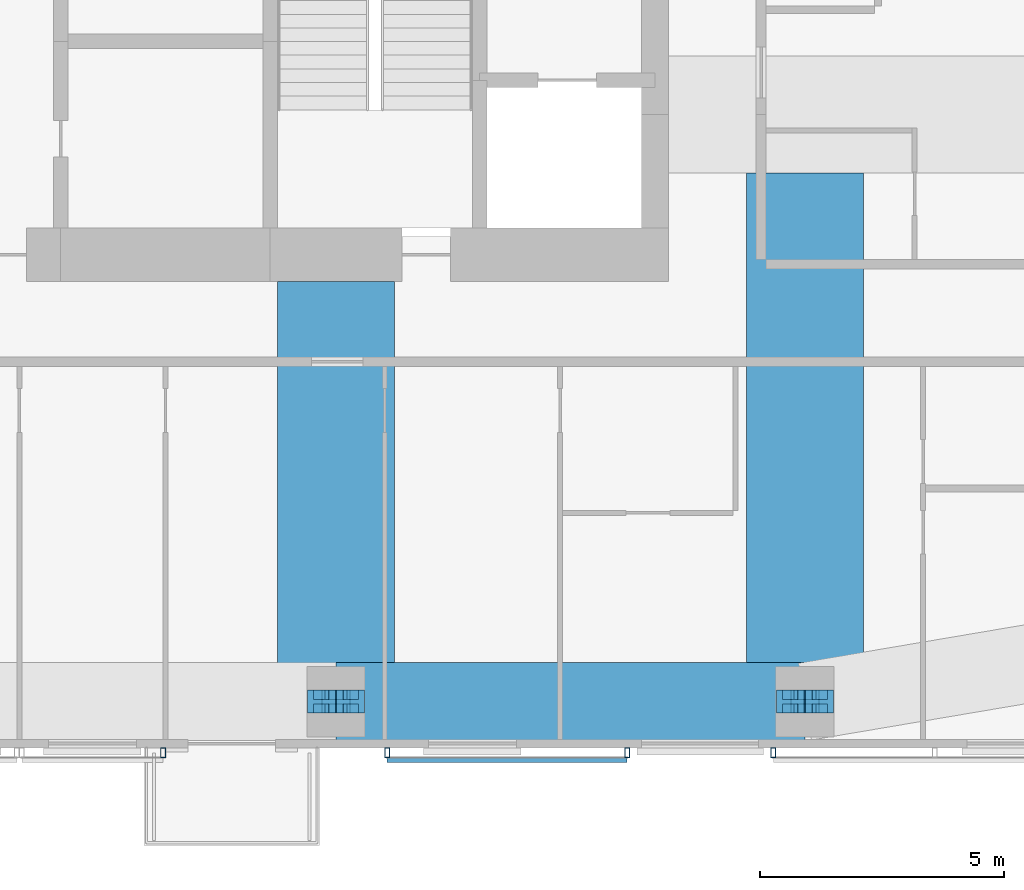
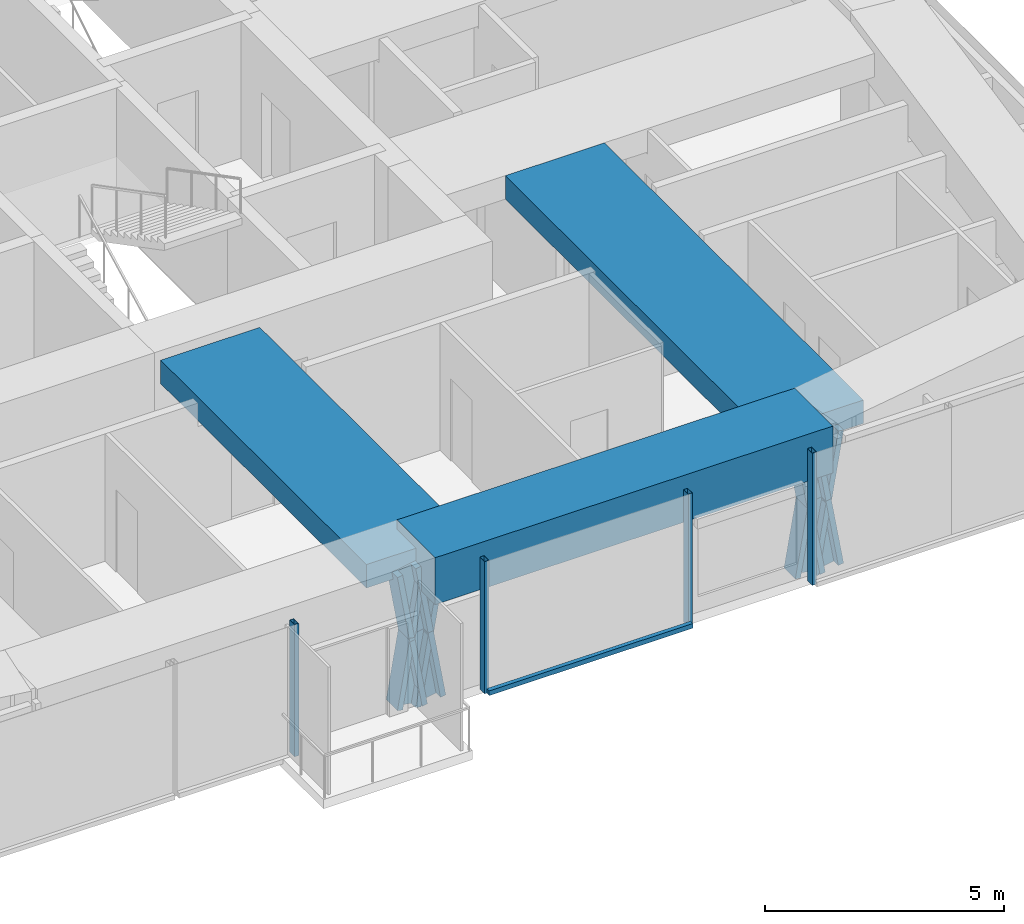
# One storey, part 4 of 18: 13 members, 3 beams, 3 elements without a shape of their own.
"""IFC4 building model written with IfcOpenShell, lengths in metres."""

from ifc_helpers import new_model, si_unit, direction, frame, origin, origin_2d, place, context, subcontext, project, spatial, rectangle, hollow_rectangle, i_section, extrude, material, material_profile, profile_set, type_object, element, aggregate, save


model = new_model("IFC4")

# Units and contexts
model_context = context("Model", 3, precision=1e-05, world=origin(), true_north=direction((0.0, 1.0)))
body_context = subcontext(model_context, "Body", "Model", "MODEL_VIEW")
ifc_project = project(units=[si_unit("LENGTHUNIT", "METRE"), si_unit("AREAUNIT", "SQUARE_METRE"), si_unit("VOLUMEUNIT", "CUBIC_METRE"), si_unit("PLANEANGLEUNIT", "RADIAN"), si_unit("MASSUNIT", "GRAM", prefix="KILO")], contexts=[model_context])

# Site, building, storey
site_placement = place(None, origin())
site = spatial("IfcSite", under=ifc_project, at=site_placement, CompositionType="ELEMENT")
building_placement = place(site_placement, origin())
building = spatial("IfcBuilding", under=site, at=building_placement, Name="Jalousie Tower", CompositionType="ELEMENT")
storey_placement = place(building_placement, frame((0.0, 0.0, 249.449951171875)))
storey = spatial("IfcBuildingStorey", under=building, at=storey_placement, Name="L68", CompositionType="ELEMENT", Elevation=249.449951171875)

# Members
ifc_material_1 = material(Name="Steel ASTM A992 Grade 50", Category="steel")
ifc_material_profile_1 = material_profile(ifc_material_1, i_section(OverallWidth=0.472412109375, OverallDepth=0.5791015625, WebThickness=0.094970703125, FlangeThickness=0.1298828125, at=origin_2d()), Name="W14X808")
ifc_profile_set_1 = profile_set([ifc_material_profile_1], Name="Steel ASTM A992 Grade 50")
member_type_1 = type_object("IfcMemberType", Name="PERIMETER BRACE W14X808", PredefinedType="BRACE", material=ifc_profile_set_1)
for number, where, z_axis, x_axis, name in (
    (1, (36.949951171875, 0.949951171875, -0.599853515625), (0.168990530437, 0.0, 0.98561767467), (0.0, 1.0, 0.0), "Perimeter brace 03 L68 part 1"),
    (2, (37.25, 0.949951171875, 1.150146484375), (0.168990530437, 0.0, 0.98561767467), (0.0, 1.0, 0.0), "Perimeter brace 03 L68 part 2"),
    (3, (37.550048828125, 0.949951171875, -0.599853515625), (-0.168990530437, 0.0, 0.98561767467), (0.0, -1.0, 0.0), "Perimeter brace 03 L68 part 3"),
    (4, (37.25, 0.949951171875, 1.150146484375), (-0.168990530437, 0.0, 0.98561767467), (0.0, -1.0, 0.0), "Perimeter brace 03 L68 part 4"),
    (5, (46.574951171875, 0.949951171875, -0.599853515625), (0.168990530437, 0.0, 0.98561767467), (0.0, 1.0, 0.0), "Perimeter brace 04 L68 part 1"),
    (6, (46.875, 0.949951171875, 1.150146484375), (0.168990530437, 0.0, 0.98561767467), (0.0, 1.0, 0.0), "Perimeter brace 04 L68 part 2"),
    (7, (47.175048828125, 0.949951171875, -0.599853515625), (-0.168990530437, 0.0, 0.98561767467), (0.0, -1.0, 0.0), "Perimeter brace 04 L68 part 3"),
    (8, (46.875, 0.949951171875, 1.150146484375), (-0.168990530437, 0.0, 0.98561767467), (0.0, -1.0, 0.0), "Perimeter brace 04 L68 part 4"),
):
    element("IfcMember", number, at=place(storey_placement, frame(where, z_axis=z_axis, x_axis=x_axis)), inside=storey, type_object=member_type_1, Name=name, PredefinedType="BRACE", context=body_context, shape_type="SweptSolid", body=[
        extrude(i_section(OverallWidth=0.472412109375, OverallDepth=0.5791015625, WebThickness=0.094970703125, FlangeThickness=0.1298828125, at=origin_2d()), origin(), (0.0, 0.0, 1.0), 1.775634765625),
    ])

# Beams
ifc_material_2 = material(Name="Concrete f'c 40 MPa", Category="concrete")
ifc_material_profile_2 = material_profile(ifc_material_2, rectangle(XDim=1.60009765625, YDim=1.199951171875, at=origin_2d()), Name="RC 1600x1200")
ifc_profile_set_2 = profile_set([ifc_material_profile_2], Name="Concrete f'c 40 MPa")
beam_type_1 = type_object("IfcBeamType", Name="RC BEAM 1600x1200", PredefinedType="BEAM", material=ifc_profile_set_2)
beam_1_placement = place(storey_placement, frame((37.25, 0.949951171875, 2.900146484375), z_axis=(1.0, 0.0, 0.0), x_axis=(0.0, 1.0, 0.0)))
element("IfcBeam", 9, at=beam_1_placement, inside=storey, type_object=beam_type_1, Name="Edge band beam 03-04 under L69", PredefinedType="BEAM", context=body_context, shape_type="SweptSolid", body=[
    extrude(rectangle(XDim=1.60009765625, YDim=1.199951171875, at=origin_2d()), origin(), (0.0, 0.0, 1.0), 9.625),
])
ifc_material_3 = material(Name="Concrete f'c 40 MPa", Category="concrete")
ifc_material_profile_3 = material_profile(ifc_material_3, rectangle(XDim=2.39990234375, YDim=0.60009765625, at=origin_2d()), Name="RC 2400x600")
ifc_profile_set_3 = profile_set([ifc_material_profile_3], Name="Concrete f'c 40 MPa")
beam_type_2 = type_object("IfcBeamType", Name="RC BEAM 2400x600", PredefinedType="BEAM", material=ifc_profile_set_3)
beam_2_placement = place(storey_placement, frame((37.25, 0.949951171875, 2.9599609375), z_axis=(0.0, 1.0, 0.0), x_axis=(-1.0, 0.0, 0.0)))
element("IfcBeam", 10, at=beam_2_placement, inside=storey, type_object=beam_type_2, Name="Floor band beam under L69", PredefinedType="BEAM", context=body_context, shape_type="SweptSolid", body=[
    extrude(rectangle(XDim=2.39990234375, YDim=0.60009765625, at=origin_2d()), origin(), (0.0, 0.0, 1.0), 8.625),
])
beam_3_placement = place(storey_placement, frame((46.875, 0.949951171875, 2.9599609375), z_axis=(0.0, 1.0, 0.0), x_axis=(-1.0, 0.0, 0.0)))
element("IfcBeam", 11, at=beam_3_placement, inside=storey, type_object=beam_type_2, Name="Floor band beam under L69", PredefinedType="BEAM", context=body_context, shape_type="SweptSolid", body=[
    extrude(rectangle(XDim=2.39990234375, YDim=0.60009765625, at=origin_2d()), origin(), (0.0, 0.0, 1.0), 10.85009765625),
])

# Curtain wall, member
ifc_material_4 = material(Name="Perforated aluminium sheet", Category="aluminium")
curtain_wall_type = type_object("IfcCurtainWallType", Name="SOLAR SCREEN SS-2", PredefinedType="USERDEFINED", material=ifc_material_4)
curtain_wall_1_placement = place(storey_placement, origin())
curtain_wall_1 = element("IfcCurtainWall", 12, at=curtain_wall_1_placement, inside=storey, type_object=curtain_wall_type, Name="Solar screen L68", ObjectType="SOLAR SCREEN SS-2", PredefinedType="USERDEFINED")
ifc_material_5 = material(Name="Steel ASTM A500 Grade C", Category="steel")
ifc_material_profile_4 = material_profile(ifc_material_5, hollow_rectangle(XDim=0.1015625, YDim=0.203125, WallThickness=0.0078125, at=origin_2d()), Name="HSS8X4X5/16")
ifc_profile_set_4 = profile_set([ifc_material_profile_4], Name="Steel ASTM A500 Grade C")
member_type_2 = type_object("IfcMemberType", Name="SOLAR SCREEN SS-2 MULLION", PredefinedType="MULLION", material=ifc_profile_set_4)
member_1_placement = place(storey_placement, frame((33.699951171875, -0.0966796875, -0.119873046875), z_axis=(0.0, 0.0, 1.0), x_axis=(1.0, 0.0, 0.0)))
member_1 = element("IfcMember", 13, at=member_1_placement, type_object=member_type_2, Name="SS2 post 2", PredefinedType="MULLION", context=body_context, shape_type="SweptSolid", body=[
    extrude(hollow_rectangle(XDim=0.1015625, YDim=0.203125, WallThickness=0.0078125, at=origin_2d()), origin(), (0.0, 0.0, 1.0), 3.3798828125),
])
aggregate(curtain_wall_1, [member_1])

# Curtain wall, members
curtain_wall_2_placement = place(storey_placement, origin())
curtain_wall_2 = element("IfcCurtainWall", 14, at=curtain_wall_2_placement, inside=storey, type_object=curtain_wall_type, Name="Solar screen L68", ObjectType="SOLAR SCREEN SS-2", PredefinedType="USERDEFINED")
member_2_placement = place(storey_placement, frame((38.300048828125, -0.0966796875, -0.119873046875), z_axis=(0.0, 0.0, 1.0), x_axis=(1.0, 0.0, 0.0)))
member_2 = element("IfcMember", 15, at=member_2_placement, type_object=member_type_2, Name="SS2 post 1", PredefinedType="MULLION", context=body_context, shape_type="SweptSolid", body=[
    extrude(hollow_rectangle(XDim=0.1015625, YDim=0.203125, WallThickness=0.0078125, at=origin_2d()), origin(), (0.0, 0.0, 1.0), 3.3798828125),
])
member_3_placement = place(storey_placement, frame((43.22509765625, -0.0966796875, -0.119873046875), z_axis=(0.0, 0.0, 1.0), x_axis=(1.0, 0.0, 0.0)))
member_3 = element("IfcMember", 16, at=member_3_placement, type_object=member_type_2, Name="SS2 post 2", PredefinedType="MULLION", context=body_context, shape_type="SweptSolid", body=[
    extrude(hollow_rectangle(XDim=0.1015625, YDim=0.203125, WallThickness=0.0078125, at=origin_2d()), origin(), (0.0, 0.0, 1.0), 3.3798828125),
])

# Curtain wall, member
curtain_wall_3_placement = place(storey_placement, origin())
curtain_wall_3 = element("IfcCurtainWall", 17, at=curtain_wall_3_placement, inside=storey, type_object=curtain_wall_type, Name="Solar screen L68", ObjectType="SOLAR SCREEN SS-2", PredefinedType="USERDEFINED")
member_4_placement = place(storey_placement, frame((46.22509765625, -0.0966796875, -0.119873046875), z_axis=(0.0, 0.0, 1.0), x_axis=(1.0, 0.0, 0.0)))
member_4 = element("IfcMember", 18, at=member_4_placement, type_object=member_type_2, Name="SS2 post 1", PredefinedType="MULLION", context=body_context, shape_type="SweptSolid", body=[
    extrude(hollow_rectangle(XDim=0.1015625, YDim=0.203125, WallThickness=0.0078125, at=origin_2d()), origin(), (0.0, 0.0, 1.0), 3.3798828125),
])
aggregate(curtain_wall_3, [member_4])

# Member
ifc_material_6 = material(Name="Extruded aluminium screen rail", Category="aluminium")
ifc_material_profile_5 = material_profile(ifc_material_6, rectangle(XDim=0.1015625, YDim=0.1201171875, at=origin_2d()), Name="RAIL 102x120")
ifc_profile_set_5 = profile_set([ifc_material_profile_5], Name="Extruded aluminium screen rail")
member_type_3 = type_object("IfcMemberType", Name="SOLAR SCREEN SS-2 TRANSOM", PredefinedType="USERDEFINED", material=ifc_profile_set_5)
member_5_placement = place(storey_placement, frame((38.300048828125, -0.2490234375, -0.06005859375), z_axis=(1.0, 0.0, 0.0), x_axis=(0.0, 1.0, 0.0)))
member_5 = element("IfcMember", 19, at=member_5_placement, type_object=member_type_3, Name="SS2 rail", ObjectType="TRANSOM", PredefinedType="USERDEFINED", context=body_context, shape_type="SweptSolid", body=[
    extrude(rectangle(XDim=0.1015625, YDim=0.1201171875, at=origin_2d()), origin(), (0.0, 0.0, 1.0), 4.925048828125),
])

aggregate(curtain_wall_2, [member_2, member_3, member_5])

save(model, "model.ifc")
